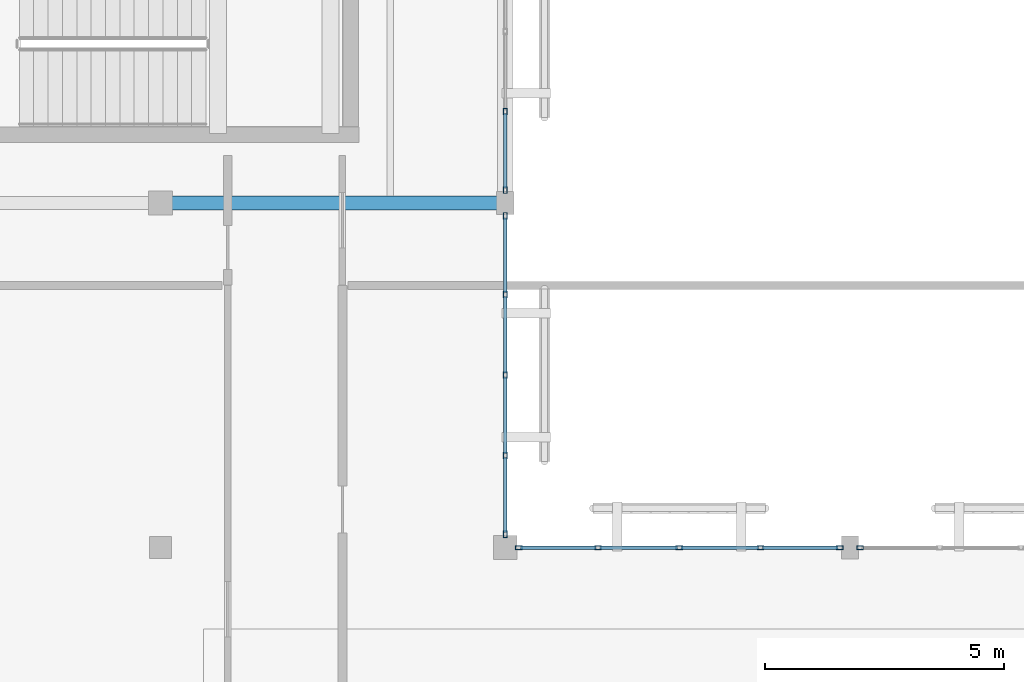
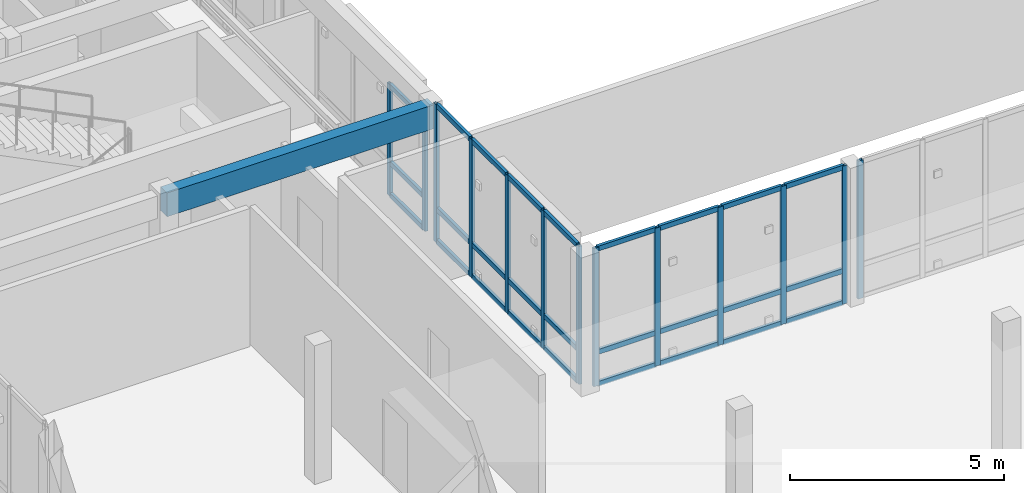
# One storey, part 56 of 112: 40 members, 1 beam, 4 elements without a shape of their own.
"""IFC4 building model written with IfcOpenShell, lengths in metres."""

from ifc_helpers import new_model, si_unit, direction, frame, origin, origin_2d, place, context, subcontext, project, spatial, rectangle, hollow_rectangle, extrude, material, layer, layer_set, material_profile, profile_set, type_object, element, aggregate, save


model = new_model("IFC4")

# Units and contexts
model_context = context("Model", 3, precision=1e-05, world=origin(), true_north=direction((0.0, 1.0)))
body_context = subcontext(model_context, "Body", "Model", "MODEL_VIEW")
ifc_project = project(units=[si_unit("LENGTHUNIT", "METRE"), si_unit("AREAUNIT", "SQUARE_METRE"), si_unit("VOLUMEUNIT", "CUBIC_METRE"), si_unit("PLANEANGLEUNIT", "RADIAN"), si_unit("MASSUNIT", "GRAM", prefix="KILO")], contexts=[model_context])

# Site, building, storey
site_placement = place(None, origin())
site = spatial("IfcSite", under=ifc_project, at=site_placement, CompositionType="ELEMENT")
building_placement = place(site_placement, origin())
building = spatial("IfcBuilding", under=site, at=building_placement, Name="Mazaris Harbour Polytechnic", CompositionType="ELEMENT")
storey_placement = place(building_placement, frame((0.0, 0.0, 13.800048828125)))
storey = spatial("IfcBuildingStorey", under=building, at=storey_placement, Name="L03", CompositionType="ELEMENT", Elevation=13.800048828125)

# Curtain wall, members
ifc_material_1 = material(Name="Anodised Bronze Aluminium and Low-E Glass", Category="aluminium")
ifc_layer = layer(ifc_material_1, 0.169921875, Name="Anodised Bronze Aluminium and Low-E Glass")
ifc_layer_set = layer_set([ifc_layer], Name="Anodised Bronze Aluminium and Low-E Glass")
curtain_wall_type = type_object("IfcCurtainWallType", Name="Studio North-Light Curtain Wall", PredefinedType="NOTDEFINED", material=ifc_layer_set)
curtain_wall_1_placement = place(storey_placement, origin())
curtain_wall_1 = element("IfcCurtainWall", 1, at=curtain_wall_1_placement, inside=storey, type_object=curtain_wall_type, Name="V5 L03 Curtain Wall 257", PredefinedType="NOTDEFINED")
ifc_material_2 = material(Name="Anodised Bronze Steel S355", Category="steel")
ifc_material_profile_1 = material_profile(ifc_material_2, hollow_rectangle(XDim=0.080078125, YDim=0.139892578125, WallThickness=0.00634765625, at=origin_2d()), Name="RHS 80x140x6.3")
ifc_profile_set_1 = profile_set([ifc_material_profile_1], Name="Anodised Bronze Steel S355")
member_type_1 = type_object("IfcMemberType", Name="Curtain Mullion RHS80x140", PredefinedType="MULLION", material=ifc_profile_set_1)
member_1_placement = place(storey_placement, frame((137.08203125, 61.199951171875, 0.0), z_axis=(0.0, 0.0, 1.0), x_axis=(0.0, 1.0, 0.0)))
member_1 = element("IfcMember", 2, at=member_1_placement, type_object=member_type_1, Name="CW-03 mullion 1", PredefinedType="MULLION", context=body_context, shape_type="SweptSolid", body=[
    extrude(hollow_rectangle(XDim=0.080078125, YDim=0.139892578125, WallThickness=0.00634765625, at=origin_2d()), origin(), (0.0, 0.0, 1.0), 3.93505859375),
])
member_2_placement = place(storey_placement, frame((138.738525390625, 61.199951171875, 0.0), z_axis=(0.0, 0.0, 1.0), x_axis=(0.0, 1.0, 0.0)))
member_2 = element("IfcMember", 3, at=member_2_placement, type_object=member_type_1, Name="CW-03 mullion 2", PredefinedType="MULLION", context=body_context, shape_type="SweptSolid", body=[
    extrude(hollow_rectangle(XDim=0.080078125, YDim=0.139892578125, WallThickness=0.00634765625, at=origin_2d()), origin(), (0.0, 0.0, 1.0), 3.93505859375),
])
member_3_placement = place(storey_placement, frame((140.43505859375, 61.199951171875, 0.0), z_axis=(0.0, 0.0, 1.0), x_axis=(0.0, 1.0, 0.0)))
member_3 = element("IfcMember", 4, at=member_3_placement, type_object=member_type_1, Name="CW-03 mullion 3", PredefinedType="MULLION", context=body_context, shape_type="SweptSolid", body=[
    extrude(hollow_rectangle(XDim=0.080078125, YDim=0.139892578125, WallThickness=0.00634765625, at=origin_2d()), origin(), (0.0, 0.0, 1.0), 3.93505859375),
])
member_4_placement = place(storey_placement, frame((142.131591796875, 61.199951171875, 0.0), z_axis=(0.0, 0.0, 1.0), x_axis=(0.0, 1.0, 0.0)))
member_4 = element("IfcMember", 5, at=member_4_placement, type_object=member_type_1, Name="CW-03 mullion 4", PredefinedType="MULLION", context=body_context, shape_type="SweptSolid", body=[
    extrude(hollow_rectangle(XDim=0.080078125, YDim=0.139892578125, WallThickness=0.00634765625, at=origin_2d()), origin(), (0.0, 0.0, 1.0), 3.93505859375),
])
member_5_placement = place(storey_placement, frame((143.7880859375, 61.199951171875, 0.0), z_axis=(0.0, 0.0, 1.0), x_axis=(0.0, 1.0, 0.0)))
member_5 = element("IfcMember", 6, at=member_5_placement, type_object=member_type_1, Name="CW-03 mullion 5", PredefinedType="MULLION", context=body_context, shape_type="SweptSolid", body=[
    extrude(hollow_rectangle(XDim=0.080078125, YDim=0.139892578125, WallThickness=0.00634765625, at=origin_2d()), origin(), (0.0, 0.0, 1.0), 3.93505859375),
])

# Curtain wall, member
curtain_wall_2_placement = place(storey_placement, origin())
curtain_wall_2 = element("IfcCurtainWall", 7, at=curtain_wall_2_placement, inside=storey, type_object=curtain_wall_type, Name="V5 L03 Curtain Wall 258", PredefinedType="NOTDEFINED")
member_6_placement = place(storey_placement, frame((144.2119140625, 61.199951171875, 0.0), z_axis=(0.0, 0.0, 1.0), x_axis=(0.0, 1.0, 0.0)))
member_6 = element("IfcMember", 8, at=member_6_placement, type_object=member_type_1, Name="CW-03 mullion 1", PredefinedType="MULLION", context=body_context, shape_type="SweptSolid", body=[
    extrude(hollow_rectangle(XDim=0.080078125, YDim=0.139892578125, WallThickness=0.00634765625, at=origin_2d()), origin(), (0.0, 0.0, 1.0), 3.93505859375),
])
aggregate(curtain_wall_2, [member_6])

# Curtain wall, members
curtain_wall_3_placement = place(storey_placement, origin())
curtain_wall_3 = element("IfcCurtainWall", 9, at=curtain_wall_3_placement, inside=storey, type_object=curtain_wall_type, Name="V5 L03 Curtain Wall 263", PredefinedType="NOTDEFINED")
member_7_placement = place(storey_placement, frame((136.800048828125, 61.48193359375, 0.0), z_axis=(0.0, 0.0, 1.0), x_axis=(-1.0, 0.0, 0.0)))
member_7 = element("IfcMember", 10, at=member_7_placement, type_object=member_type_1, Name="CW-03 mullion 1", PredefinedType="MULLION", context=body_context, shape_type="SweptSolid", body=[
    extrude(hollow_rectangle(XDim=0.080078125, YDim=0.139892578125, WallThickness=0.00634765625, at=origin_2d()), origin(), (0.0, 0.0, 1.0), 3.93505859375),
])
member_8_placement = place(storey_placement, frame((136.800048828125, 63.12353515625, 0.0), z_axis=(0.0, 0.0, 1.0), x_axis=(-1.0, 0.0, 0.0)))
member_8 = element("IfcMember", 11, at=member_8_placement, type_object=member_type_1, Name="CW-03 mullion 2", PredefinedType="MULLION", context=body_context, shape_type="SweptSolid", body=[
    extrude(hollow_rectangle(XDim=0.080078125, YDim=0.139892578125, WallThickness=0.00634765625, at=origin_2d()), origin(), (0.0, 0.0, 1.0), 3.93505859375),
])
member_9_placement = place(storey_placement, frame((136.800048828125, 64.804931640625, 0.0), z_axis=(0.0, 0.0, 1.0), x_axis=(-1.0, 0.0, 0.0)))
member_9 = element("IfcMember", 12, at=member_9_placement, type_object=member_type_1, Name="CW-03 mullion 3", PredefinedType="MULLION", context=body_context, shape_type="SweptSolid", body=[
    extrude(hollow_rectangle(XDim=0.080078125, YDim=0.139892578125, WallThickness=0.00634765625, at=origin_2d()), origin(), (0.0, 0.0, 1.0), 3.93505859375),
])
member_10_placement = place(storey_placement, frame((136.800048828125, 66.486572265625, 0.0), z_axis=(0.0, 0.0, 1.0), x_axis=(-1.0, 0.0, 0.0)))
member_10 = element("IfcMember", 13, at=member_10_placement, type_object=member_type_1, Name="CW-03 mullion 4", PredefinedType="MULLION", context=body_context, shape_type="SweptSolid", body=[
    extrude(hollow_rectangle(XDim=0.080078125, YDim=0.139892578125, WallThickness=0.00634765625, at=origin_2d()), origin(), (0.0, 0.0, 1.0), 3.93505859375),
])
member_11_placement = place(storey_placement, frame((136.800048828125, 68.1279296875, 0.0), z_axis=(0.0, 0.0, 1.0), x_axis=(-1.0, 0.0, 0.0)))
member_11 = element("IfcMember", 14, at=member_11_placement, type_object=member_type_1, Name="CW-03 mullion 5", PredefinedType="MULLION", context=body_context, shape_type="SweptSolid", body=[
    extrude(hollow_rectangle(XDim=0.080078125, YDim=0.139892578125, WallThickness=0.00634765625, at=origin_2d()), origin(), (0.0, 0.0, 1.0), 3.93505859375),
])

curtain_wall_4_placement = place(storey_placement, origin())
curtain_wall_4 = element("IfcCurtainWall", 15, at=curtain_wall_4_placement, inside=storey, type_object=curtain_wall_type, Name="V5 L03 Curtain Wall 264", PredefinedType="NOTDEFINED")
member_12_placement = place(storey_placement, frame((136.800048828125, 68.672119140625, 0.0), z_axis=(0.0, 0.0, 1.0), x_axis=(-1.0, 0.0, 0.0)))
member_12 = element("IfcMember", 16, at=member_12_placement, type_object=member_type_1, Name="CW-03 mullion 1", PredefinedType="MULLION", context=body_context, shape_type="SweptSolid", body=[
    extrude(hollow_rectangle(XDim=0.080078125, YDim=0.139892578125, WallThickness=0.00634765625, at=origin_2d()), origin(), (0.0, 0.0, 1.0), 3.18505859375),
])
member_13_placement = place(storey_placement, frame((136.800048828125, 70.30859375, 0.0), z_axis=(0.0, 0.0, 1.0), x_axis=(-1.0, 0.0, 0.0)))
member_13 = element("IfcMember", 17, at=member_13_placement, type_object=member_type_1, Name="CW-03 mullion 2", PredefinedType="MULLION", context=body_context, shape_type="SweptSolid", body=[
    extrude(hollow_rectangle(XDim=0.080078125, YDim=0.139892578125, WallThickness=0.00634765625, at=origin_2d()), origin(), (0.0, 0.0, 1.0), 3.18505859375),
])

# Member
ifc_material_3 = material(Name="Anodised Bronze Steel S355", Category="steel")
ifc_material_profile_2 = material_profile(ifc_material_3, hollow_rectangle(XDim=0.080078125, YDim=0.139892578125, WallThickness=0.00634765625, at=origin_2d()), Name="RHS 80x140x6.3")
ifc_profile_set_2 = profile_set([ifc_material_profile_2], Name="Anodised Bronze Steel S355")
member_type_2 = type_object("IfcMemberType", Name="Curtain Transom RHS80x140", PredefinedType="USERDEFINED", material=ifc_profile_set_2)
member_14_placement = place(storey_placement, frame((137.1220703125, 61.199951171875, 0.0400390625), z_axis=(1.0, 0.0, 0.0), x_axis=(0.0, 1.0, 0.0)))
member_14 = element("IfcMember", 18, at=member_14_placement, type_object=member_type_2, Name="CW-03 transom 1.1", ObjectType="TRANSOM", PredefinedType="USERDEFINED", context=body_context, shape_type="SweptSolid", body=[
    extrude(hollow_rectangle(XDim=0.080078125, YDim=0.139892578125, WallThickness=0.00634765625, at=origin_2d()), origin(), (0.0, 0.0, 1.0), 1.576416015625),
])

member_15_placement = place(storey_placement, frame((137.1220703125, 61.199951171875, 0.949951171875), z_axis=(1.0, 0.0, 0.0), x_axis=(0.0, 1.0, 0.0)))
member_15 = element("IfcMember", 19, at=member_15_placement, type_object=member_type_2, Name="CW-03 transom 1.2", ObjectType="TRANSOM", PredefinedType="USERDEFINED", context=body_context, shape_type="SweptSolid", body=[
    extrude(hollow_rectangle(XDim=0.080078125, YDim=0.139892578125, WallThickness=0.00634765625, at=origin_2d()), origin(), (0.0, 0.0, 1.0), 1.576416015625),
])

member_16_placement = place(storey_placement, frame((137.1220703125, 61.199951171875, 3.89501953125), z_axis=(1.0, 0.0, 0.0), x_axis=(0.0, 1.0, 0.0)))
member_16 = element("IfcMember", 20, at=member_16_placement, type_object=member_type_2, Name="CW-03 transom 1.3", ObjectType="TRANSOM", PredefinedType="USERDEFINED", context=body_context, shape_type="SweptSolid", body=[
    extrude(hollow_rectangle(XDim=0.080078125, YDim=0.139892578125, WallThickness=0.00634765625, at=origin_2d()), origin(), (0.0, 0.0, 1.0), 1.576416015625),
])

member_17_placement = place(storey_placement, frame((138.778564453125, 61.199951171875, 0.0400390625), z_axis=(1.0, 0.0, 0.0), x_axis=(0.0, 1.0, 0.0)))
member_17 = element("IfcMember", 21, at=member_17_placement, type_object=member_type_2, Name="CW-03 transom 2.1", ObjectType="TRANSOM", PredefinedType="USERDEFINED", context=body_context, shape_type="SweptSolid", body=[
    extrude(hollow_rectangle(XDim=0.080078125, YDim=0.139892578125, WallThickness=0.00634765625, at=origin_2d()), origin(), (0.0, 0.0, 1.0), 1.616455078125),
])

member_18_placement = place(storey_placement, frame((138.778564453125, 61.199951171875, 0.949951171875), z_axis=(1.0, 0.0, 0.0), x_axis=(0.0, 1.0, 0.0)))
member_18 = element("IfcMember", 22, at=member_18_placement, type_object=member_type_2, Name="CW-03 transom 2.2", ObjectType="TRANSOM", PredefinedType="USERDEFINED", context=body_context, shape_type="SweptSolid", body=[
    extrude(hollow_rectangle(XDim=0.080078125, YDim=0.139892578125, WallThickness=0.00634765625, at=origin_2d()), origin(), (0.0, 0.0, 1.0), 1.616455078125),
])

member_19_placement = place(storey_placement, frame((138.778564453125, 61.199951171875, 3.89501953125), z_axis=(1.0, 0.0, 0.0), x_axis=(0.0, 1.0, 0.0)))
member_19 = element("IfcMember", 23, at=member_19_placement, type_object=member_type_2, Name="CW-03 transom 2.3", ObjectType="TRANSOM", PredefinedType="USERDEFINED", context=body_context, shape_type="SweptSolid", body=[
    extrude(hollow_rectangle(XDim=0.080078125, YDim=0.139892578125, WallThickness=0.00634765625, at=origin_2d()), origin(), (0.0, 0.0, 1.0), 1.616455078125),
])

member_20_placement = place(storey_placement, frame((140.47509765625, 61.199951171875, 0.0400390625), z_axis=(1.0, 0.0, 0.0), x_axis=(0.0, 1.0, 0.0)))
member_20 = element("IfcMember", 24, at=member_20_placement, type_object=member_type_2, Name="CW-03 transom 3.1", ObjectType="TRANSOM", PredefinedType="USERDEFINED", context=body_context, shape_type="SweptSolid", body=[
    extrude(hollow_rectangle(XDim=0.080078125, YDim=0.139892578125, WallThickness=0.00634765625, at=origin_2d()), origin(), (0.0, 0.0, 1.0), 1.616455078125),
])

member_21_placement = place(storey_placement, frame((140.47509765625, 61.199951171875, 0.949951171875), z_axis=(1.0, 0.0, 0.0), x_axis=(0.0, 1.0, 0.0)))
member_21 = element("IfcMember", 25, at=member_21_placement, type_object=member_type_2, Name="CW-03 transom 3.2", ObjectType="TRANSOM", PredefinedType="USERDEFINED", context=body_context, shape_type="SweptSolid", body=[
    extrude(hollow_rectangle(XDim=0.080078125, YDim=0.139892578125, WallThickness=0.00634765625, at=origin_2d()), origin(), (0.0, 0.0, 1.0), 1.616455078125),
])

member_22_placement = place(storey_placement, frame((140.47509765625, 61.199951171875, 3.89501953125), z_axis=(1.0, 0.0, 0.0), x_axis=(0.0, 1.0, 0.0)))
member_22 = element("IfcMember", 26, at=member_22_placement, type_object=member_type_2, Name="CW-03 transom 3.3", ObjectType="TRANSOM", PredefinedType="USERDEFINED", context=body_context, shape_type="SweptSolid", body=[
    extrude(hollow_rectangle(XDim=0.080078125, YDim=0.139892578125, WallThickness=0.00634765625, at=origin_2d()), origin(), (0.0, 0.0, 1.0), 1.616455078125),
])

member_23_placement = place(storey_placement, frame((142.17138671875, 61.199951171875, 0.0400390625), z_axis=(1.0, 0.0, 0.0), x_axis=(0.0, 1.0, 0.0)))
member_23 = element("IfcMember", 27, at=member_23_placement, type_object=member_type_2, Name="CW-03 transom 4.1", ObjectType="TRANSOM", PredefinedType="USERDEFINED", context=body_context, shape_type="SweptSolid", body=[
    extrude(hollow_rectangle(XDim=0.080078125, YDim=0.139892578125, WallThickness=0.00634765625, at=origin_2d()), origin(), (0.0, 0.0, 1.0), 1.57666015625),
])

member_24_placement = place(storey_placement, frame((142.17138671875, 61.199951171875, 0.949951171875), z_axis=(1.0, 0.0, 0.0), x_axis=(0.0, 1.0, 0.0)))
member_24 = element("IfcMember", 28, at=member_24_placement, type_object=member_type_2, Name="CW-03 transom 4.2", ObjectType="TRANSOM", PredefinedType="USERDEFINED", context=body_context, shape_type="SweptSolid", body=[
    extrude(hollow_rectangle(XDim=0.080078125, YDim=0.139892578125, WallThickness=0.00634765625, at=origin_2d()), origin(), (0.0, 0.0, 1.0), 1.57666015625),
])

member_25_placement = place(storey_placement, frame((142.17138671875, 61.199951171875, 3.89501953125), z_axis=(1.0, 0.0, 0.0), x_axis=(0.0, 1.0, 0.0)))
member_25 = element("IfcMember", 29, at=member_25_placement, type_object=member_type_2, Name="CW-03 transom 4.3", ObjectType="TRANSOM", PredefinedType="USERDEFINED", context=body_context, shape_type="SweptSolid", body=[
    extrude(hollow_rectangle(XDim=0.080078125, YDim=0.139892578125, WallThickness=0.00634765625, at=origin_2d()), origin(), (0.0, 0.0, 1.0), 1.57666015625),
])

aggregate(curtain_wall_1, [member_1, member_2, member_3, member_4, member_5, member_14, member_15, member_16, member_17, member_18, member_19, member_20, member_21, member_22, member_23, member_24, member_25])

member_26_placement = place(storey_placement, frame((136.800048828125, 61.52197265625, 0.0400390625), z_axis=(0.0, 1.0, 0.0), x_axis=(-1.0, 0.0, 0.0)))
member_26 = element("IfcMember", 30, at=member_26_placement, type_object=member_type_2, Name="CW-03 transom 1.1", ObjectType="TRANSOM", PredefinedType="USERDEFINED", context=body_context, shape_type="SweptSolid", body=[
    extrude(hollow_rectangle(XDim=0.080078125, YDim=0.139892578125, WallThickness=0.00634765625, at=origin_2d()), origin(), (0.0, 0.0, 1.0), 1.5615234375),
])

member_27_placement = place(storey_placement, frame((136.800048828125, 61.52197265625, 0.949951171875), z_axis=(0.0, 1.0, 0.0), x_axis=(-1.0, 0.0, 0.0)))
member_27 = element("IfcMember", 31, at=member_27_placement, type_object=member_type_2, Name="CW-03 transom 1.2", ObjectType="TRANSOM", PredefinedType="USERDEFINED", context=body_context, shape_type="SweptSolid", body=[
    extrude(hollow_rectangle(XDim=0.080078125, YDim=0.139892578125, WallThickness=0.00634765625, at=origin_2d()), origin(), (0.0, 0.0, 1.0), 1.5615234375),
])

member_28_placement = place(storey_placement, frame((136.800048828125, 61.52197265625, 3.89501953125), z_axis=(0.0, 1.0, 0.0), x_axis=(-1.0, 0.0, 0.0)))
member_28 = element("IfcMember", 32, at=member_28_placement, type_object=member_type_2, Name="CW-03 transom 1.3", ObjectType="TRANSOM", PredefinedType="USERDEFINED", context=body_context, shape_type="SweptSolid", body=[
    extrude(hollow_rectangle(XDim=0.080078125, YDim=0.139892578125, WallThickness=0.00634765625, at=origin_2d()), origin(), (0.0, 0.0, 1.0), 1.5615234375),
])

member_29_placement = place(storey_placement, frame((136.800048828125, 63.16357421875, 0.0400390625), z_axis=(0.0, 1.0, 0.0), x_axis=(-1.0, 0.0, 0.0)))
member_29 = element("IfcMember", 33, at=member_29_placement, type_object=member_type_2, Name="CW-03 transom 2.1", ObjectType="TRANSOM", PredefinedType="USERDEFINED", context=body_context, shape_type="SweptSolid", body=[
    extrude(hollow_rectangle(XDim=0.080078125, YDim=0.139892578125, WallThickness=0.00634765625, at=origin_2d()), origin(), (0.0, 0.0, 1.0), 1.601318359375),
])

member_30_placement = place(storey_placement, frame((136.800048828125, 63.16357421875, 0.949951171875), z_axis=(0.0, 1.0, 0.0), x_axis=(-1.0, 0.0, 0.0)))
member_30 = element("IfcMember", 34, at=member_30_placement, type_object=member_type_2, Name="CW-03 transom 2.2", ObjectType="TRANSOM", PredefinedType="USERDEFINED", context=body_context, shape_type="SweptSolid", body=[
    extrude(hollow_rectangle(XDim=0.080078125, YDim=0.139892578125, WallThickness=0.00634765625, at=origin_2d()), origin(), (0.0, 0.0, 1.0), 1.601318359375),
])

member_31_placement = place(storey_placement, frame((136.800048828125, 63.16357421875, 3.89501953125), z_axis=(0.0, 1.0, 0.0), x_axis=(-1.0, 0.0, 0.0)))
member_31 = element("IfcMember", 35, at=member_31_placement, type_object=member_type_2, Name="CW-03 transom 2.3", ObjectType="TRANSOM", PredefinedType="USERDEFINED", context=body_context, shape_type="SweptSolid", body=[
    extrude(hollow_rectangle(XDim=0.080078125, YDim=0.139892578125, WallThickness=0.00634765625, at=origin_2d()), origin(), (0.0, 0.0, 1.0), 1.601318359375),
])

member_32_placement = place(storey_placement, frame((136.800048828125, 64.844970703125, 0.0400390625), z_axis=(0.0, 1.0, 0.0), x_axis=(-1.0, 0.0, 0.0)))
member_32 = element("IfcMember", 36, at=member_32_placement, type_object=member_type_2, Name="CW-03 transom 3.1", ObjectType="TRANSOM", PredefinedType="USERDEFINED", context=body_context, shape_type="SweptSolid", body=[
    extrude(hollow_rectangle(XDim=0.080078125, YDim=0.139892578125, WallThickness=0.00634765625, at=origin_2d()), origin(), (0.0, 0.0, 1.0), 1.6015625),
])

member_33_placement = place(storey_placement, frame((136.800048828125, 64.844970703125, 0.949951171875), z_axis=(0.0, 1.0, 0.0), x_axis=(-1.0, 0.0, 0.0)))
member_33 = element("IfcMember", 37, at=member_33_placement, type_object=member_type_2, Name="CW-03 transom 3.2", ObjectType="TRANSOM", PredefinedType="USERDEFINED", context=body_context, shape_type="SweptSolid", body=[
    extrude(hollow_rectangle(XDim=0.080078125, YDim=0.139892578125, WallThickness=0.00634765625, at=origin_2d()), origin(), (0.0, 0.0, 1.0), 1.6015625),
])

member_34_placement = place(storey_placement, frame((136.800048828125, 64.844970703125, 3.89501953125), z_axis=(0.0, 1.0, 0.0), x_axis=(-1.0, 0.0, 0.0)))
member_34 = element("IfcMember", 38, at=member_34_placement, type_object=member_type_2, Name="CW-03 transom 3.3", ObjectType="TRANSOM", PredefinedType="USERDEFINED", context=body_context, shape_type="SweptSolid", body=[
    extrude(hollow_rectangle(XDim=0.080078125, YDim=0.139892578125, WallThickness=0.00634765625, at=origin_2d()), origin(), (0.0, 0.0, 1.0), 1.6015625),
])

member_35_placement = place(storey_placement, frame((136.800048828125, 66.526611328125, 0.0400390625), z_axis=(0.0, 1.0, 0.0), x_axis=(-1.0, 0.0, 0.0)))
member_35 = element("IfcMember", 39, at=member_35_placement, type_object=member_type_2, Name="CW-03 transom 4.1", ObjectType="TRANSOM", PredefinedType="USERDEFINED", context=body_context, shape_type="SweptSolid", body=[
    extrude(hollow_rectangle(XDim=0.080078125, YDim=0.139892578125, WallThickness=0.00634765625, at=origin_2d()), origin(), (0.0, 0.0, 1.0), 1.561279296875),
])

member_36_placement = place(storey_placement, frame((136.800048828125, 66.526611328125, 0.949951171875), z_axis=(0.0, 1.0, 0.0), x_axis=(-1.0, 0.0, 0.0)))
member_36 = element("IfcMember", 40, at=member_36_placement, type_object=member_type_2, Name="CW-03 transom 4.2", ObjectType="TRANSOM", PredefinedType="USERDEFINED", context=body_context, shape_type="SweptSolid", body=[
    extrude(hollow_rectangle(XDim=0.080078125, YDim=0.139892578125, WallThickness=0.00634765625, at=origin_2d()), origin(), (0.0, 0.0, 1.0), 1.561279296875),
])

member_37_placement = place(storey_placement, frame((136.800048828125, 66.526611328125, 3.89501953125), z_axis=(0.0, 1.0, 0.0), x_axis=(-1.0, 0.0, 0.0)))
member_37 = element("IfcMember", 41, at=member_37_placement, type_object=member_type_2, Name="CW-03 transom 4.3", ObjectType="TRANSOM", PredefinedType="USERDEFINED", context=body_context, shape_type="SweptSolid", body=[
    extrude(hollow_rectangle(XDim=0.080078125, YDim=0.139892578125, WallThickness=0.00634765625, at=origin_2d()), origin(), (0.0, 0.0, 1.0), 1.561279296875),
])

aggregate(curtain_wall_3, [member_7, member_8, member_9, member_10, member_11, member_26, member_27, member_28, member_29, member_30, member_31, member_32, member_33, member_34, member_35, member_36, member_37])

member_38_placement = place(storey_placement, frame((136.800048828125, 68.7119140625, 0.0400390625), z_axis=(0.0, 1.0, 0.0), x_axis=(-1.0, 0.0, 0.0)))
member_38 = element("IfcMember", 42, at=member_38_placement, type_object=member_type_2, Name="CW-03 transom 1.1", ObjectType="TRANSOM", PredefinedType="USERDEFINED", context=body_context, shape_type="SweptSolid", body=[
    extrude(hollow_rectangle(XDim=0.080078125, YDim=0.139892578125, WallThickness=0.00634765625, at=origin_2d()), origin(), (0.0, 0.0, 1.0), 1.556640625),
])

member_39_placement = place(storey_placement, frame((136.800048828125, 68.7119140625, 0.949951171875), z_axis=(0.0, 1.0, 0.0), x_axis=(-1.0, 0.0, 0.0)))
member_39 = element("IfcMember", 43, at=member_39_placement, type_object=member_type_2, Name="CW-03 transom 1.2", ObjectType="TRANSOM", PredefinedType="USERDEFINED", context=body_context, shape_type="SweptSolid", body=[
    extrude(hollow_rectangle(XDim=0.080078125, YDim=0.139892578125, WallThickness=0.00634765625, at=origin_2d()), origin(), (0.0, 0.0, 1.0), 1.556640625),
])

member_40_placement = place(storey_placement, frame((136.800048828125, 68.7119140625, 3.14501953125), z_axis=(0.0, 1.0, 0.0), x_axis=(-1.0, 0.0, 0.0)))
member_40 = element("IfcMember", 44, at=member_40_placement, type_object=member_type_2, Name="CW-03 transom 1.3", ObjectType="TRANSOM", PredefinedType="USERDEFINED", context=body_context, shape_type="SweptSolid", body=[
    extrude(hollow_rectangle(XDim=0.080078125, YDim=0.139892578125, WallThickness=0.00634765625, at=origin_2d()), origin(), (0.0, 0.0, 1.0), 1.556640625),
])

aggregate(curtain_wall_4, [member_12, member_13, member_38, member_39, member_40])

# Beam
ifc_material_4 = material(Name="Glulam GL32h", Category="wood")
ifc_material_profile_3 = material_profile(ifc_material_4, rectangle(XDim=0.300048828125, YDim=0.679931640625, at=origin_2d()), Name="RECT300x680")
ifc_profile_set_3 = profile_set([ifc_material_profile_3], Name="Glulam GL32h")
beam_type = type_object("IfcBeamType", Name="Glulam Girder 300x680 Exterior", PredefinedType="BEAM", material=ifc_profile_set_3)
beam_placement = place(storey_placement, frame((129.60009765625, 68.39990234375, 3.47998046875), z_axis=(1.0, 0.0, 0.0), x_axis=(0.0, 1.0, 0.0)))
element("IfcBeam", 45, at=beam_placement, inside=storey, type_object=beam_type, Name="V5 L03 Girder 3298", PredefinedType="BEAM", context=body_context, shape_type="SweptSolid", body=[
    extrude(rectangle(XDim=0.300048828125, YDim=0.679931640625, at=origin_2d()), origin(), (0.0, 0.0, 1.0), 7.199951171875),
])

save(model, "model.ifc")
